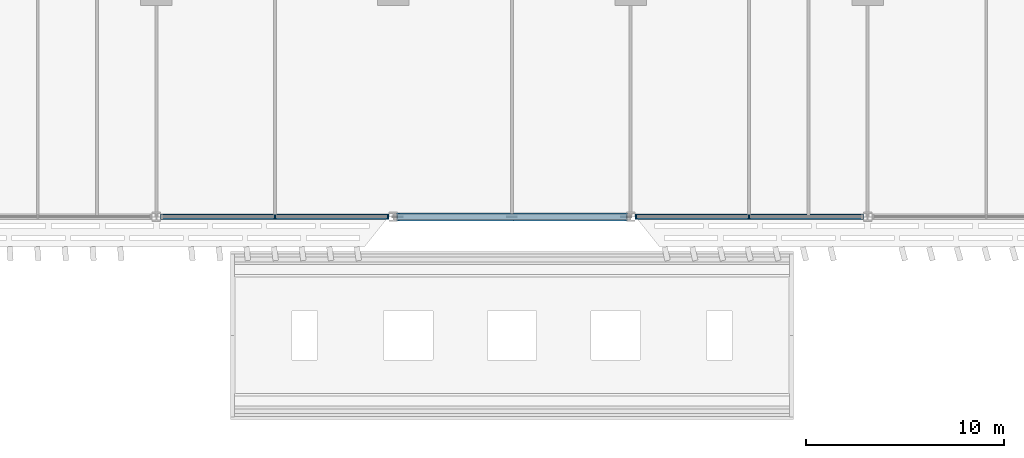
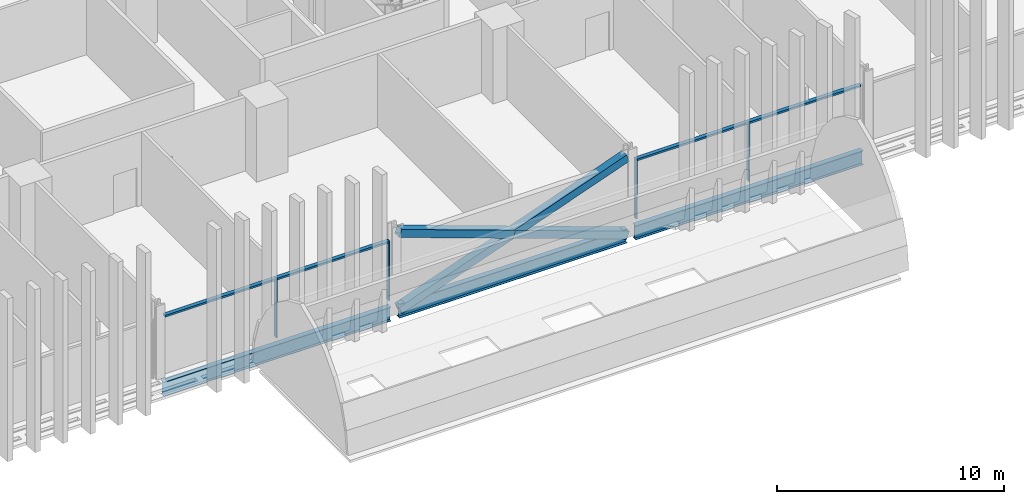
# One storey, part 3 of 31: 11 members, 3 beams, 2 elements without a shape of their own.
"""IFC4 building model written with IfcOpenShell, lengths in metres."""

from ifc_helpers import new_model, si_unit, direction, frame, origin, origin_2d, place, context, subcontext, project, spatial, rectangle, hollow_rectangle, i_section, extrude, material, material_profile, profile_set, type_object, element, aggregate, save


model = new_model("IFC4")

# Units and contexts
model_context = context("Model", 3, precision=1e-05, world=origin(), true_north=direction((0.0, 1.0)))
body_context = subcontext(model_context, "Body", "Model", "MODEL_VIEW")
ifc_project = project(units=[si_unit("LENGTHUNIT", "METRE"), si_unit("AREAUNIT", "SQUARE_METRE"), si_unit("VOLUMEUNIT", "CUBIC_METRE"), si_unit("PLANEANGLEUNIT", "RADIAN"), si_unit("MASSUNIT", "GRAM", prefix="KILO")], contexts=[model_context])

# Site, building, storey
site_placement = place(None, origin())
site = spatial("IfcSite", under=ifc_project, at=site_placement, CompositionType="ELEMENT")
building_placement = place(site_placement, origin())
building = spatial("IfcBuilding", under=site, at=building_placement, Name="Mahtab Terrace Research Tower", CompositionType="ELEMENT")
storey_placement = place(building_placement, frame((0.0, 0.0, 11.5)))
storey = spatial("IfcBuildingStorey", under=building, at=storey_placement, Name="L02", CompositionType="ELEMENT", Elevation=11.5)

# Members
ifc_material_1 = material(Name="Steel ASTM A500 Gr C", Category="steel")
ifc_material_profile_1 = material_profile(ifc_material_1, hollow_rectangle(XDim=0.406494140625, YDim=0.406494140625, WallThickness=0.01904296875, at=origin_2d()), Name="HSS16X16X3/4")
ifc_profile_set_1 = profile_set([ifc_material_profile_1], Name="Steel ASTM A500 Gr C")
member_type_1 = type_object("IfcMemberType", Name="HSS 16x16x3/4 brace XB161634", PredefinedType="BRACE", material=ifc_profile_set_1)
member_1_placement = place(storey_placement, frame((-5.7841796875, -23.0, -0.64111328125), z_axis=(0.941388097231, 0.0, 0.337325436917), x_axis=(0.0, 1.0, 0.0)))
element("IfcMember", 1, at=member_1_placement, inside=storey, type_object=member_type_1, Name="Exoskeleton brace L02 15 a", PredefinedType="BRACE", context=body_context, shape_type="SweptSolid", body=[
    extrude(hollow_rectangle(XDim=0.406494140625, YDim=0.406494140625, WallThickness=0.01904296875, at=origin_2d()), origin(), (0.0, 0.0, 1.0), 12.28857421875),
])
for number, where, z_axis, x_axis, name in (
    (2, (5.7841796875, -23.0, -0.64111328125), (-0.941381788192, 0.0, 0.337343043295), (0.0, -1.0, 0.0), "Exoskeleton brace L02 15 b1"),
    (3, (0.0, -23.0, 1.431640625), (-0.941394406025, 0.0, 0.337307830185), (0.0, -1.0, 0.0), "Exoskeleton brace L02 15 b2"),
):
    element("IfcMember", number, at=place(storey_placement, frame(where, z_axis=z_axis, x_axis=x_axis)), inside=storey, type_object=member_type_1, Name=name, PredefinedType="BRACE", context=body_context, shape_type="SweptSolid", body=[
        extrude(hollow_rectangle(XDim=0.406494140625, YDim=0.406494140625, WallThickness=0.01904296875, at=origin_2d()), origin(), (0.0, 0.0, 1.0), 6.144287109375),
    ])

# Curtain wall, members
ifc_material_2 = material(Name="Laboratory ribbon curtain wall")
curtain_wall_type = type_object("IfcCurtainWallType", Name="Laboratory ribbon curtain wall", PredefinedType="NOTDEFINED", material=ifc_material_2)
curtain_wall_1_placement = place(storey_placement, origin())
curtain_wall_1 = element("IfcCurtainWall", 4, at=curtain_wall_1_placement, inside=storey, type_object=curtain_wall_type, Name="EN.L02.13.24", PredefinedType="NOTDEFINED")
ifc_material_3 = material(Name="Natural anodised aluminium", Category="aluminium")
ifc_material_profile_2 = material_profile(ifc_material_3, rectangle(XDim=0.199951171875, YDim=0.06494140625, at=origin_2d()), Name="MULLION 65x200")
ifc_profile_set_2 = profile_set([ifc_material_profile_2], Name="Natural anodised aluminium")
member_type_2 = type_object("IfcMemberType", Name="Laboratory ribbon curtain wall mullion", PredefinedType="MULLION", material=ifc_profile_set_2)
member_2_placement = place(storey_placement, frame((-12.0, -23.0, 0.0), z_axis=(0.0, 0.0, 1.0), x_axis=(0.0, 1.0, 0.0)))
member_2 = element("IfcMember", 5, at=member_2_placement, type_object=member_type_2, Name="CWL-1 mullion 2", PredefinedType="MULLION", context=body_context, shape_type="SweptSolid", body=[
    extrude(rectangle(XDim=0.199951171875, YDim=0.06494140625, at=origin_2d()), origin(), (0.0, 0.0, 1.0), 3.203125),
])
member_3_placement = place(storey_placement, frame((-6.281494140625, -23.0, 0.0), z_axis=(0.0, 0.0, 1.0), x_axis=(0.0, 1.0, 0.0)))
member_3 = element("IfcMember", 6, at=member_3_placement, type_object=member_type_2, Name="CWL-1 mullion 3", PredefinedType="MULLION", context=body_context, shape_type="SweptSolid", body=[
    extrude(rectangle(XDim=0.199951171875, YDim=0.06494140625, at=origin_2d()), origin(), (0.0, 0.0, 1.0), 3.203125),
])

curtain_wall_2_placement = place(storey_placement, origin())
curtain_wall_2 = element("IfcCurtainWall", 7, at=curtain_wall_2_placement, inside=storey, type_object=curtain_wall_type, Name="EN.L02.13.26", PredefinedType="NOTDEFINED")
member_4_placement = place(storey_placement, frame((6.281494140625, -23.0, 0.0), z_axis=(0.0, 0.0, 1.0), x_axis=(0.0, 1.0, 0.0)))
member_4 = element("IfcMember", 8, at=member_4_placement, type_object=member_type_2, Name="CWL-1 mullion 1", PredefinedType="MULLION", context=body_context, shape_type="SweptSolid", body=[
    extrude(rectangle(XDim=0.199951171875, YDim=0.06494140625, at=origin_2d()), origin(), (0.0, 0.0, 1.0), 3.203125),
])
member_5_placement = place(storey_placement, frame((12.0, -23.0, 0.0), z_axis=(0.0, 0.0, 1.0), x_axis=(0.0, 1.0, 0.0)))
member_5 = element("IfcMember", 9, at=member_5_placement, type_object=member_type_2, Name="CWL-1 mullion 2", PredefinedType="MULLION", context=body_context, shape_type="SweptSolid", body=[
    extrude(rectangle(XDim=0.199951171875, YDim=0.06494140625, at=origin_2d()), origin(), (0.0, 0.0, 1.0), 3.203125),
])

# Member
ifc_material_profile_3 = material_profile(ifc_material_3, rectangle(XDim=0.199951171875, YDim=0.10009765625, at=origin_2d()), Name="TRANSOM 100x200")
ifc_profile_set_3 = profile_set([ifc_material_profile_3], Name="Natural anodised aluminium")
member_type_3 = type_object("IfcMemberType", Name="Laboratory ribbon curtain wall transom", PredefinedType="USERDEFINED", material=ifc_profile_set_3)
member_6_placement = place(storey_placement, frame((-17.68603515625, -23.0, 3.153076171875), z_axis=(1.0, 0.0, 0.0), x_axis=(0.0, 1.0, 0.0)))
member_6 = element("IfcMember", 10, at=member_6_placement, type_object=member_type_3, Name="CWL-1 transom 1", ObjectType="TRANSOM", PredefinedType="USERDEFINED", context=body_context, shape_type="SweptSolid", body=[
    extrude(rectangle(XDim=0.199951171875, YDim=0.10009765625, at=origin_2d()), origin(), (0.0, 0.0, 1.0), 5.653564453125),
])

member_7_placement = place(storey_placement, frame((-11.967529296875, -23.0, 3.153076171875), z_axis=(1.0, 0.0, 0.0), x_axis=(0.0, 1.0, 0.0)))
member_7 = element("IfcMember", 11, at=member_7_placement, type_object=member_type_3, Name="CWL-1 transom 2", ObjectType="TRANSOM", PredefinedType="USERDEFINED", context=body_context, shape_type="SweptSolid", body=[
    extrude(rectangle(XDim=0.199951171875, YDim=0.10009765625, at=origin_2d()), origin(), (0.0, 0.0, 1.0), 5.653564453125),
])

aggregate(curtain_wall_1, [member_2, member_3, member_6, member_7])

member_8_placement = place(storey_placement, frame((6.31396484375, -23.0, 3.153076171875), z_axis=(1.0, 0.0, 0.0), x_axis=(0.0, 1.0, 0.0)))
member_8 = element("IfcMember", 12, at=member_8_placement, type_object=member_type_3, Name="CWL-1 transom 1", ObjectType="TRANSOM", PredefinedType="USERDEFINED", context=body_context, shape_type="SweptSolid", body=[
    extrude(rectangle(XDim=0.199951171875, YDim=0.10009765625, at=origin_2d()), origin(), (0.0, 0.0, 1.0), 5.653564453125),
])

member_9_placement = place(storey_placement, frame((12.032470703125, -23.0, 3.153076171875), z_axis=(1.0, 0.0, 0.0), x_axis=(0.0, 1.0, 0.0)))
member_9 = element("IfcMember", 13, at=member_9_placement, type_object=member_type_3, Name="CWL-1 transom 2", ObjectType="TRANSOM", PredefinedType="USERDEFINED", context=body_context, shape_type="SweptSolid", body=[
    extrude(rectangle(XDim=0.199951171875, YDim=0.10009765625, at=origin_2d()), origin(), (0.0, 0.0, 1.0), 5.653564453125),
])

aggregate(curtain_wall_2, [member_4, member_5, member_8, member_9])

# Beams
ifc_material_4 = material(Name="Steel ASTM A992 Gr 50", Category="steel")
ifc_material_profile_4 = material_profile(ifc_material_4, i_section(OverallWidth=0.2666015625, OverallDepth=0.7568359375, WebThickness=0.013916015625, FlangeThickness=0.019287109375, at=origin_2d()), Name="W30X108")
ifc_profile_set_4 = profile_set([ifc_material_profile_4], Name="Steel ASTM A992 Gr 50")
beam_type = type_object("IfcBeamType", Name="W30x108 beam BS30108", PredefinedType="BEAM", material=ifc_profile_set_4)
for number, where, z_axis, x_axis, name in (
    (14, (-17.7841796875, -23.0, -0.718505859375), (1.0, 0.0, 0.0), (0.0, 1.0, 0.0), "Spandrel beam L02 14"),
    (15, (-5.7841796875, -23.0, -0.718505859375), (1.0, 0.0, 0.0), (0.0, 1.0, 0.0), "Spandrel beam L02 15"),
    (16, (6.2158203125, -23.0, -0.718505859375), (1.0, 0.0, 0.0), (0.0, 1.0, 0.0), "Spandrel beam L02 16"),
):
    element("IfcBeam", number, at=place(storey_placement, frame(where, z_axis=z_axis, x_axis=x_axis)), inside=storey, type_object=beam_type, Name=name, PredefinedType="BEAM", context=body_context, shape_type="SweptSolid", body=[
        extrude(i_section(OverallWidth=0.2666015625, OverallDepth=0.7568359375, WebThickness=0.013916015625, FlangeThickness=0.019287109375, at=origin_2d()), origin(), (0.0, 0.0, 1.0), 11.568359375),
    ])

save(model, "model.ifc")
